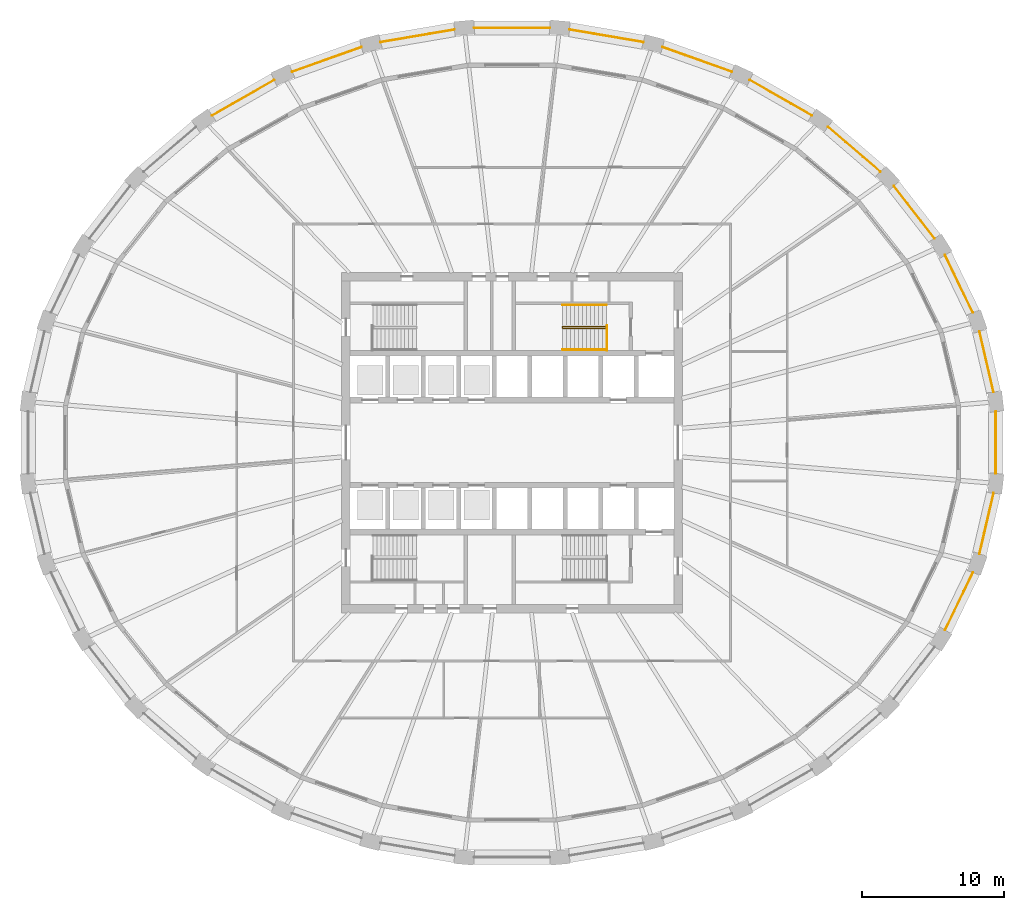
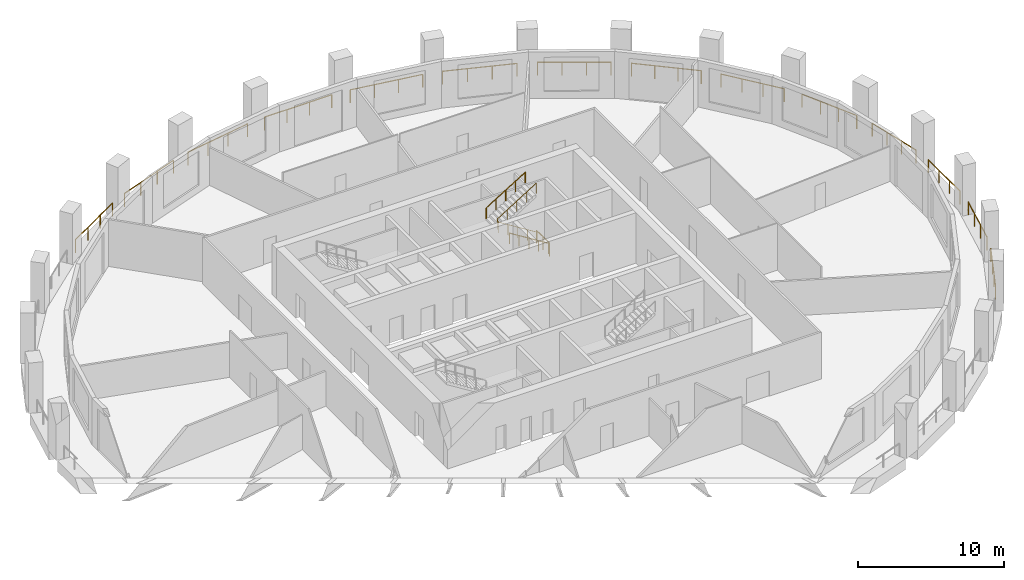
# One storey, part 10 of 11: 18 railings.
"""IFC4 building model written with IfcOpenShell, lengths in metres."""

from ifc_helpers import new_model, si_unit, direction, frame, origin, origin_2d, place, context, subcontext, project, spatial, circle, extrude, material, type_object, element, save


model = new_model("IFC4")

# Units and contexts
model_context = context("Model", 3, precision=1e-05, world=origin(), true_north=direction((0.0, 1.0)))
body_context = subcontext(model_context, "Body", "Model", "MODEL_VIEW")
ifc_project = project(units=[si_unit("LENGTHUNIT", "METRE"), si_unit("AREAUNIT", "SQUARE_METRE"), si_unit("VOLUMEUNIT", "CUBIC_METRE"), si_unit("PLANEANGLEUNIT", "RADIAN"), si_unit("MASSUNIT", "GRAM", prefix="KILO")], contexts=[model_context])

# Site, building, storey
site_placement = place(None, origin())
site = spatial("IfcSite", under=ifc_project, at=site_placement, CompositionType="ELEMENT")
building_placement = place(site_placement, origin())
building = spatial("IfcBuilding", under=site, at=building_placement, Name="Halqa Exchange Tower", CompositionType="ELEMENT")
storey_placement = place(building_placement, frame((0.0, 0.0, 142.300048828125)))
storey = spatial("IfcBuildingStorey", under=building, at=storey_placement, Name="L32", CompositionType="ELEMENT", Elevation=142.300048828125)

# Railings
ifc_material = material(Name="Stainless steel", Category="steel")
railing_type_1 = type_object("IfcRailingType", Name="Guard 1100 stainless steel", PredefinedType="GUARDRAIL", material=ifc_material)
railing_1_placement = place(storey_placement, frame((33.93994140625, 3.560546875, 0.0)))
element("IfcRailing", 1, at=railing_1_placement, inside=storey, type_object=railing_type_1, Name="Loggia guard 1", PredefinedType="GUARDRAIL", context=body_context, shape_type="SweptSolid", body=[
    extrude(circle(Radius=0.02392578125, at=origin_2d()), frame((0.0, 0.0, 1.076171875), z_axis=(-0.226063843212, 0.974112487751, 0.0), x_axis=(-0.974112487751, -0.226063843212, 0.0)), (0.0, 0.0, 1.0), 4.396484375),
    extrude(circle(Radius=0.02099609375, at=origin_2d()), origin(), (0.0, 0.0, 1.0), 1.052001953125),
    extrude(circle(Radius=0.02099609375, at=origin_2d()), frame((-0.331298828125, 1.427490234375, 0.0)), (0.0, 0.0, 1.0), 1.052001953125),
    extrude(circle(Radius=0.02099609375, at=origin_2d()), frame((-0.66259765625, 2.855224609375, 0.0)), (0.0, 0.0, 1.0), 1.052001953125),
    extrude(circle(Radius=0.02099609375, at=origin_2d()), frame((-0.993896484375, 4.28271484375, 0.0)), (0.0, 0.0, 1.0), 1.052001953125),
])
railing_2_placement = place(storey_placement, frame((32.483154296875, 9.155517578125, 0.0)))
element("IfcRailing", 2, at=railing_2_placement, inside=storey, type_object=railing_type_1, Name="Loggia guard 2", PredefinedType="GUARDRAIL", context=body_context, shape_type="SweptSolid", body=[
    extrude(circle(Radius=0.02392578125, at=origin_2d()), frame((0.0, 0.0, 1.076171875), z_axis=(-0.435104993677, 0.900379722382, 0.0), x_axis=(-0.900379722382, -0.435104993677, 0.0)), (0.0, 0.0, 1.0), 4.50732421875),
    extrude(circle(Radius=0.02099609375, at=origin_2d()), origin(), (0.0, 0.0, 1.0), 1.052001953125),
    extrude(circle(Radius=0.02099609375, at=origin_2d()), frame((-0.65380859375, 1.352783203125, 0.0)), (0.0, 0.0, 1.0), 1.052001953125),
    extrude(circle(Radius=0.02099609375, at=origin_2d()), frame((-1.307373046875, 2.70556640625, 0.0)), (0.0, 0.0, 1.0), 1.052001953125),
    extrude(circle(Radius=0.02099609375, at=origin_2d()), frame((-1.961181640625, 4.058349609375, 0.0)), (0.0, 0.0, 1.0), 1.052001953125),
])
railing_3_placement = place(storey_placement, frame((29.787109375, 14.396240234375, 0.0)))
element("IfcRailing", 3, at=railing_3_placement, inside=storey, type_object=railing_type_1, Name="Loggia guard 3", PredefinedType="GUARDRAIL", context=body_context, shape_type="SweptSolid", body=[
    extrude(circle(Radius=0.02392578125, at=origin_2d()), frame((0.0, 0.0, 1.076171875), z_axis=(-0.614794475966, 0.788687360316, 0.0), x_axis=(-0.788687360316, -0.614794475966, 0.0)), (0.0, 0.0, 1.0), 4.669677734375),
    extrude(circle(Radius=0.02099609375, at=origin_2d()), origin(), (0.0, 0.0, 1.0), 1.052001953125),
    extrude(circle(Radius=0.02099609375, at=origin_2d()), frame((-0.95703125, 1.2275390625, 0.0)), (0.0, 0.0, 1.0), 1.052001953125),
    extrude(circle(Radius=0.02099609375, at=origin_2d()), frame((-1.913818359375, 2.455322265625, 0.0)), (0.0, 0.0, 1.0), 1.052001953125),
    extrude(circle(Radius=0.02099609375, at=origin_2d()), frame((-2.870849609375, 3.682861328125, 0.0)), (0.0, 0.0, 1.0), 1.052001953125),
])
railing_4_placement = place(storey_placement, frame((25.954345703125, 19.0869140625, 0.0)))
element("IfcRailing", 4, at=railing_4_placement, inside=storey, type_object=railing_type_1, Name="Loggia guard 4", PredefinedType="GUARDRAIL", context=body_context, shape_type="SweptSolid", body=[
    extrude(circle(Radius=0.02392578125, at=origin_2d()), frame((0.0, 0.0, 1.076171875), z_axis=(-0.759277898417, 0.650766527239, 0.0), x_axis=(-0.650766527239, -0.759277898417, 0.0)), (0.0, 0.0, 1.0), 4.855224609375),
    extrude(circle(Radius=0.02099609375, at=origin_2d()), origin(), (0.0, 0.0, 1.0), 1.052001953125),
    extrude(circle(Radius=0.02099609375, at=origin_2d()), frame((-1.228759765625, 1.05322265625, 0.0)), (0.0, 0.0, 1.0), 1.052001953125),
    extrude(circle(Radius=0.02099609375, at=origin_2d()), frame((-2.457763671875, 2.1064453125, 0.0)), (0.0, 0.0, 1.0), 1.052001953125),
    extrude(circle(Radius=0.02099609375, at=origin_2d()), frame((-3.6865234375, 3.15966796875, 0.0)), (0.0, 0.0, 1.0), 1.052001953125),
])
railing_5_placement = place(storey_placement, frame((21.12890625, 23.050048828125, 0.0)))
element("IfcRailing", 5, at=railing_5_placement, inside=storey, type_object=railing_type_1, Name="Loggia guard 5", PredefinedType="GUARDRAIL", context=body_context, shape_type="SweptSolid", body=[
    extrude(circle(Radius=0.02392578125, at=origin_2d()), frame((0.0, 0.0, 1.076171875), z_axis=(-0.867762399845, 0.496979292743, 0.0), x_axis=(-0.496979292743, -0.867762399845, 0.0)), (0.0, 0.0, 1.0), 5.035888671875),
    extrude(circle(Radius=0.02099609375, at=origin_2d()), origin(), (0.0, 0.0, 1.0), 1.052001953125),
    extrude(circle(Radius=0.02099609375, at=origin_2d()), frame((-1.45654296875, 0.834228515625, 0.0)), (0.0, 0.0, 1.0), 1.052001953125),
    extrude(circle(Radius=0.02099609375, at=origin_2d()), frame((-2.913330078125, 1.66845703125, 0.0)), (0.0, 0.0, 1.0), 1.052001953125),
    extrude(circle(Radius=0.02099609375, at=origin_2d()), frame((-4.369873046875, 2.502685546875, 0.0)), (0.0, 0.0, 1.0), 1.052001953125),
])
railing_6_placement = place(storey_placement, frame((15.491943359375, 26.135009765625, 0.0)))
element("IfcRailing", 6, at=railing_6_placement, inside=storey, type_object=railing_type_1, Name="Loggia guard 6", PredefinedType="GUARDRAIL", context=body_context, shape_type="SweptSolid", body=[
    extrude(circle(Radius=0.02392578125, at=origin_2d()), frame((0.0, 0.0, 1.076171875), z_axis=(-0.942379387613, 0.334546095183, 0.0), x_axis=(-0.334546095183, -0.942379387613, 0.0)), (0.0, 0.0, 1.0), 5.18505859375),
    extrude(circle(Radius=0.02099609375, at=origin_2d()), origin(), (0.0, 0.0, 1.0), 1.052001953125),
    extrude(circle(Radius=0.02099609375, at=origin_2d()), frame((-1.628662109375, 0.578125, 0.0)), (0.0, 0.0, 1.0), 1.052001953125),
    extrude(circle(Radius=0.02099609375, at=origin_2d()), frame((-3.257568359375, 1.156494140625, 0.0)), (0.0, 0.0, 1.0), 1.052001953125),
    extrude(circle(Radius=0.02099609375, at=origin_2d()), frame((-4.88623046875, 1.734619140625, 0.0)), (0.0, 0.0, 1.0), 1.052001953125),
])
railing_7_placement = place(storey_placement, frame((9.256103515625, 28.2216796875, 0.0)))
element("IfcRailing", 7, at=railing_7_placement, inside=storey, type_object=railing_type_1, Name="Loggia guard 7", PredefinedType="GUARDRAIL", context=body_context, shape_type="SweptSolid", body=[
    extrude(circle(Radius=0.02392578125, at=origin_2d()), frame((0.0, 0.0, 1.076171875), z_axis=(-0.985781455071, 0.168032505304, 0.0), x_axis=(-0.168032505304, -0.985781455071, 0.0)), (0.0, 0.0, 1.0), 5.282958984375),
    extrude(circle(Radius=0.02099609375, at=origin_2d()), origin(), (0.0, 0.0, 1.0), 1.052001953125),
    extrude(circle(Radius=0.02099609375, at=origin_2d()), frame((-1.73583984375, 0.2958984375, 0.0)), (0.0, 0.0, 1.0), 1.052001953125),
    extrude(circle(Radius=0.02099609375, at=origin_2d()), frame((-3.471923828125, 0.591796875, 0.0)), (0.0, 0.0, 1.0), 1.052001953125),
    extrude(circle(Radius=0.02099609375, at=origin_2d()), frame((-5.207763671875, 0.8876953125, 0.0)), (0.0, 0.0, 1.0), 1.052001953125),
])
railing_8_placement = place(storey_placement, frame((2.658447265625, 29.22705078125, 0.0)))
element("IfcRailing", 8, at=railing_8_placement, inside=storey, type_object=railing_type_1, Name="Loggia guard 8", PredefinedType="GUARDRAIL", context=body_context, shape_type="SweptSolid", body=[
    extrude(circle(Radius=0.02392578125, at=origin_2d()), frame((0.0, 0.0, 1.076171875), z_axis=(-1.0, 0.0, 0.0), x_axis=(0.0, -1.0, 0.0)), (0.0, 0.0, 1.0), 5.31689453125),
    extrude(circle(Radius=0.02099609375, at=origin_2d()), origin(), (0.0, 0.0, 1.0), 1.052001953125),
    extrude(circle(Radius=0.02099609375, at=origin_2d()), frame((-1.772216796875, 0.0, 0.0)), (0.0, 0.0, 1.0), 1.052001953125),
    extrude(circle(Radius=0.02099609375, at=origin_2d()), frame((-3.544677734375, 0.0, 0.0)), (0.0, 0.0, 1.0), 1.052001953125),
    extrude(circle(Radius=0.02099609375, at=origin_2d()), frame((-5.31689453125, 0.0, 0.0)), (0.0, 0.0, 1.0), 1.052001953125),
])
railing_9_placement = place(storey_placement, frame((-4.04833984375, 29.109375, 0.0)))
element("IfcRailing", 9, at=railing_9_placement, inside=storey, type_object=railing_type_1, Name="Loggia guard 9", PredefinedType="GUARDRAIL", context=body_context, shape_type="SweptSolid", body=[
    extrude(circle(Radius=0.02392578125, at=origin_2d()), frame((0.0, 0.0, 1.076171875), z_axis=(-0.985781455071, -0.168032505304, 0.0), x_axis=(0.168032505304, -0.985781455071, 0.0)), (0.0, 0.0, 1.0), 5.282958984375),
    extrude(circle(Radius=0.02099609375, at=origin_2d()), origin(), (0.0, 0.0, 1.0), 1.052001953125),
    extrude(circle(Radius=0.02099609375, at=origin_2d()), frame((-1.73583984375, -0.2958984375, 0.0)), (0.0, 0.0, 1.0), 1.052001953125),
    extrude(circle(Radius=0.02099609375, at=origin_2d()), frame((-3.471923828125, -0.591796875, 0.0)), (0.0, 0.0, 1.0), 1.052001953125),
    extrude(circle(Radius=0.02099609375, at=origin_2d()), frame((-5.207763671875, -0.8876953125, 0.0)), (0.0, 0.0, 1.0), 1.052001953125),
])
railing_10_placement = place(storey_placement, frame((-10.605712890625, 27.86962890625, 0.0)))
element("IfcRailing", 10, at=railing_10_placement, inside=storey, type_object=railing_type_1, Name="Loggia guard 10", PredefinedType="GUARDRAIL", context=body_context, shape_type="SweptSolid", body=[
    extrude(circle(Radius=0.02392578125, at=origin_2d()), frame((0.0, 0.0, 1.076171875), z_axis=(-0.942379387613, -0.334546095183, 0.0), x_axis=(0.334546095183, -0.942379387613, 0.0)), (0.0, 0.0, 1.0), 5.18505859375),
    extrude(circle(Radius=0.02099609375, at=origin_2d()), origin(), (0.0, 0.0, 1.0), 1.052001953125),
    extrude(circle(Radius=0.02099609375, at=origin_2d()), frame((-1.628662109375, -0.578125, 0.0)), (0.0, 0.0, 1.0), 1.052001953125),
    extrude(circle(Radius=0.02099609375, at=origin_2d()), frame((-3.257568359375, -1.156494140625, 0.0)), (0.0, 0.0, 1.0), 1.052001953125),
    extrude(circle(Radius=0.02099609375, at=origin_2d()), frame((-4.88623046875, -1.734619140625, 0.0)), (0.0, 0.0, 1.0), 1.052001953125),
])
railing_11_placement = place(storey_placement, frame((-16.759033203125, 25.552734375, 0.0)))
element("IfcRailing", 11, at=railing_11_placement, inside=storey, type_object=railing_type_1, Name="Loggia guard 11", PredefinedType="GUARDRAIL", context=body_context, shape_type="SweptSolid", body=[
    extrude(circle(Radius=0.02392578125, at=origin_2d()), frame((0.0, 0.0, 1.076171875), z_axis=(-0.867762399845, -0.496979292743, 0.0), x_axis=(0.496979292743, -0.867762399845, 0.0)), (0.0, 0.0, 1.0), 5.035888671875),
    extrude(circle(Radius=0.02099609375, at=origin_2d()), origin(), (0.0, 0.0, 1.0), 1.052001953125),
    extrude(circle(Radius=0.02099609375, at=origin_2d()), frame((-1.45654296875, -0.834228515625, 0.0)), (0.0, 0.0, 1.0), 1.052001953125),
    extrude(circle(Radius=0.02099609375, at=origin_2d()), frame((-2.913330078125, -1.66845703125, 0.0)), (0.0, 0.0, 1.0), 1.052001953125),
    extrude(circle(Radius=0.02099609375, at=origin_2d()), frame((-4.369873046875, -2.502685546875, 0.0)), (0.0, 0.0, 1.0), 1.052001953125),
])
railing_12_placement = place(storey_placement, frame((30.52197265625, -13.2138671875, 0.0)))
element("IfcRailing", 12, at=railing_12_placement, inside=storey, type_object=railing_type_1, Name="Loggia guard 30", PredefinedType="GUARDRAIL", context=body_context, shape_type="SweptSolid", body=[
    extrude(circle(Radius=0.02392578125, at=origin_2d()), frame((0.0, 0.0, 1.076171875), z_axis=(0.435104993677, 0.900379722382, 0.0), x_axis=(-0.900379722382, 0.435104993677, 0.0)), (0.0, 0.0, 1.0), 4.50732421875),
    extrude(circle(Radius=0.02099609375, at=origin_2d()), origin(), (0.0, 0.0, 1.0), 1.052001953125),
    extrude(circle(Radius=0.02099609375, at=origin_2d()), frame((0.65380859375, 1.352783203125, 0.0)), (0.0, 0.0, 1.0), 1.052001953125),
    extrude(circle(Radius=0.02099609375, at=origin_2d()), frame((1.307373046875, 2.70556640625, 0.0)), (0.0, 0.0, 1.0), 1.052001953125),
    extrude(circle(Radius=0.02099609375, at=origin_2d()), frame((1.961181640625, 4.058349609375, 0.0)), (0.0, 0.0, 1.0), 1.052001953125),
])
railing_13_placement = place(storey_placement, frame((32.946044921875, -7.84326171875, 0.0)))
element("IfcRailing", 13, at=railing_13_placement, inside=storey, type_object=railing_type_1, Name="Loggia guard 31", PredefinedType="GUARDRAIL", context=body_context, shape_type="SweptSolid", body=[
    extrude(circle(Radius=0.02392578125, at=origin_2d()), frame((0.0, 0.0, 1.076171875), z_axis=(0.226063843212, 0.974112487751, 0.0), x_axis=(-0.974112487751, 0.226063843212, 0.0)), (0.0, 0.0, 1.0), 4.396484375),
    extrude(circle(Radius=0.02099609375, at=origin_2d()), origin(), (0.0, 0.0, 1.0), 1.052001953125),
    extrude(circle(Radius=0.02099609375, at=origin_2d()), frame((0.331298828125, 1.427490234375, 0.0)), (0.0, 0.0, 1.0), 1.052001953125),
    extrude(circle(Radius=0.02099609375, at=origin_2d()), frame((0.66259765625, 2.855224609375, 0.0)), (0.0, 0.0, 1.0), 1.052001953125),
    extrude(circle(Radius=0.02099609375, at=origin_2d()), frame((0.993896484375, 4.28271484375, 0.0)), (0.0, 0.0, 1.0), 1.052001953125),
])
railing_14_placement = place(storey_placement, frame((34.09814453125, -2.1787109375, 0.0)))
element("IfcRailing", 14, at=railing_14_placement, inside=storey, type_object=railing_type_1, Name="Loggia guard 32", PredefinedType="GUARDRAIL", context=body_context, shape_type="SweptSolid", body=[
    extrude(circle(Radius=0.02392578125, at=origin_2d()), frame((0.0, 0.0, 1.076171875), z_axis=(0.0, 1.0, 0.0), x_axis=(-1.0, 0.0, 0.0)), (0.0, 0.0, 1.0), 4.357421875),
    extrude(circle(Radius=0.02099609375, at=origin_2d()), origin(), (0.0, 0.0, 1.0), 1.052001953125),
    extrude(circle(Radius=0.02099609375, at=origin_2d()), frame((0.0, 1.452392578125, 0.0)), (0.0, 0.0, 1.0), 1.052001953125),
    extrude(circle(Radius=0.02099609375, at=origin_2d()), frame((0.0, 2.905029296875, 0.0)), (0.0, 0.0, 1.0), 1.052001953125),
    extrude(circle(Radius=0.02099609375, at=origin_2d()), frame((0.0, 4.357421875, 0.0)), (0.0, 0.0, 1.0), 1.052001953125),
])
railing_type_2 = type_object("IfcRailingType", Name="Stair handrail 900", PredefinedType="HANDRAIL", material=ifc_material)
railing_15_placement = place(storey_placement, frame((6.64990234375, 8.06005859375, 0.175048828125)))
element("IfcRailing", 15, at=railing_15_placement, inside=storey, type_object=railing_type_2, Name="Handrail ST2.1", PredefinedType="HANDRAIL", context=body_context, shape_type="SweptSolid", body=[
    extrude(circle(Radius=0.02392578125, at=origin_2d()), frame((0.0, 0.0, 0.8759765625), z_axis=(-0.848009633417, 0.0, 0.529980812513), x_axis=(0.0, -1.0, 0.0)), (0.0, 0.0, 1.0), 3.6318359375),
    extrude(circle(Radius=0.02392578125, at=origin_2d()), frame((-3.079833984375, 0.0, 2.80078125), z_axis=(0.0, 0.595870227118, 0.803080738428), x_axis=(-1.0, 0.0, 0.0)), (0.0, 0.0, 1.0), 0.218017578125),
    extrude(circle(Radius=0.02392578125, at=origin_2d()), frame((-3.079833984375, 0.1298828125, 2.9755859375), z_axis=(0.847979421464, 0.0, 0.530029150871), x_axis=(0.0, 1.0, 0.0)), (0.0, 0.0, 1.0), 3.632080078125),
    extrude(circle(Radius=0.02099609375, at=origin_2d()), origin(), (0.0, 0.0, 1.0), 0.851806640625),
    extrude(circle(Radius=0.02099609375, at=origin_2d()), frame((-0.77001953125, 0.0, 0.481201171875)), (0.0, 0.0, 1.0), 0.851806640625),
    extrude(circle(Radius=0.02099609375, at=origin_2d()), frame((-1.5400390625, 0.0, 0.96240234375)), (0.0, 0.0, 1.0), 0.851806640625),
    extrude(circle(Radius=0.02099609375, at=origin_2d()), frame((-2.309814453125, 0.0, 1.443603515625)), (0.0, 0.0, 1.0), 0.851806640625),
    extrude(circle(Radius=0.02099609375, at=origin_2d()), frame((-3.079833984375, 0.0, 1.9248046875)), (0.0, 0.0, 1.0), 0.851806640625),
    extrude(circle(Radius=0.02099609375, at=origin_2d()), frame((-3.079833984375, 0.1298828125, 2.099853515625)), (0.0, 0.0, 1.0), 0.851806640625),
    extrude(circle(Radius=0.02099609375, at=origin_2d()), frame((-2.309814453125, 0.1298828125, 2.5810546875)), (0.0, 0.0, 1.0), 0.851806640625),
    extrude(circle(Radius=0.02099609375, at=origin_2d()), frame((-1.5400390625, 0.1298828125, 3.0625)), (0.0, 0.0, 1.0), 0.851806640625),
    extrude(circle(Radius=0.02099609375, at=origin_2d()), frame((-0.77001953125, 0.1298828125, 3.543701171875)), (0.0, 0.0, 1.0), 0.851806640625),
    extrude(circle(Radius=0.02099609375, at=origin_2d()), frame((0.0, 0.1298828125, 4.02490234375)), (0.0, 0.0, 1.0), 0.851806640625),
])
railing_16_placement = place(storey_placement, frame((6.64990234375, 6.550048828125, 0.175048828125)))
element("IfcRailing", 16, at=railing_16_placement, inside=storey, type_object=railing_type_2, Name="Handrail ST2.2", PredefinedType="HANDRAIL", context=body_context, shape_type="SweptSolid", body=[
    extrude(circle(Radius=0.02392578125, at=origin_2d()), frame((0.0, 0.0, 0.8759765625), z_axis=(-0.848009633417, 0.0, 0.529980812513), x_axis=(0.0, -1.0, 0.0)), (0.0, 0.0, 1.0), 3.6318359375),
    extrude(circle(Radius=0.02099609375, at=origin_2d()), origin(), (0.0, 0.0, 1.0), 0.851806640625),
    extrude(circle(Radius=0.02099609375, at=origin_2d()), frame((-0.77001953125, 0.0, 0.481201171875)), (0.0, 0.0, 1.0), 0.851806640625),
    extrude(circle(Radius=0.02099609375, at=origin_2d()), frame((-1.5400390625, 0.0, 0.96240234375)), (0.0, 0.0, 1.0), 0.851806640625),
    extrude(circle(Radius=0.02099609375, at=origin_2d()), frame((-2.309814453125, 0.0, 1.443603515625)), (0.0, 0.0, 1.0), 0.851806640625),
    extrude(circle(Radius=0.02099609375, at=origin_2d()), frame((-3.079833984375, 0.0, 1.9248046875)), (0.0, 0.0, 1.0), 0.851806640625),
])
railing_17_placement = place(storey_placement, frame((3.570068359375, 9.699951171875, 2.27490234375)))
element("IfcRailing", 17, at=railing_17_placement, inside=storey, type_object=railing_type_2, Name="Handrail ST2.3", PredefinedType="HANDRAIL", context=body_context, shape_type="SweptSolid", body=[
    extrude(circle(Radius=0.02392578125, at=origin_2d()), frame((0.0, 0.0, 0.8759765625), z_axis=(0.847979421464, 0.0, 0.530029150871), x_axis=(0.0, 1.0, 0.0)), (0.0, 0.0, 1.0), 3.632080078125),
    extrude(circle(Radius=0.02099609375, at=origin_2d()), origin(), (0.0, 0.0, 1.0), 0.851806640625),
    extrude(circle(Radius=0.02099609375, at=origin_2d()), frame((0.77001953125, 0.0, 0.481201171875)), (0.0, 0.0, 1.0), 0.851806640625),
    extrude(circle(Radius=0.02099609375, at=origin_2d()), frame((1.5400390625, 0.0, 0.96240234375)), (0.0, 0.0, 1.0), 0.851806640625),
    extrude(circle(Radius=0.02099609375, at=origin_2d()), frame((2.309814453125, 0.0, 1.44384765625)), (0.0, 0.0, 1.0), 0.851806640625),
    extrude(circle(Radius=0.02099609375, at=origin_2d()), frame((3.079833984375, 0.0, 1.925048828125)), (0.0, 0.0, 1.0), 0.851806640625),
])
railing_type_3 = type_object("IfcRailingType", Name="Stair well guard 1100", PredefinedType="GUARDRAIL", material=ifc_material)
railing_18_placement = place(storey_placement, frame((6.699951171875, 6.5, 0.0)))
element("IfcRailing", 18, at=railing_18_placement, inside=storey, type_object=railing_type_3, Name="Guard ST2 well", PredefinedType="GUARDRAIL", context=body_context, shape_type="SweptSolid", body=[
    extrude(circle(Radius=0.02392578125, at=origin_2d()), frame((0.0, 0.0, 1.076171875), z_axis=(0.0, 1.0, 0.0), x_axis=(-1.0, 0.0, 0.0)), (0.0, 0.0, 1.0), 1.75),
    extrude(circle(Radius=0.02099609375, at=origin_2d()), origin(), (0.0, 0.0, 1.0), 1.052001953125),
    extrude(circle(Radius=0.02099609375, at=origin_2d()), frame((0.0, 0.875, 0.0)), (0.0, 0.0, 1.0), 1.052001953125),
    extrude(circle(Radius=0.02099609375, at=origin_2d()), frame((0.0, 1.75, 0.0)), (0.0, 0.0, 1.0), 1.052001953125),
])

save(model, "model.ifc")
